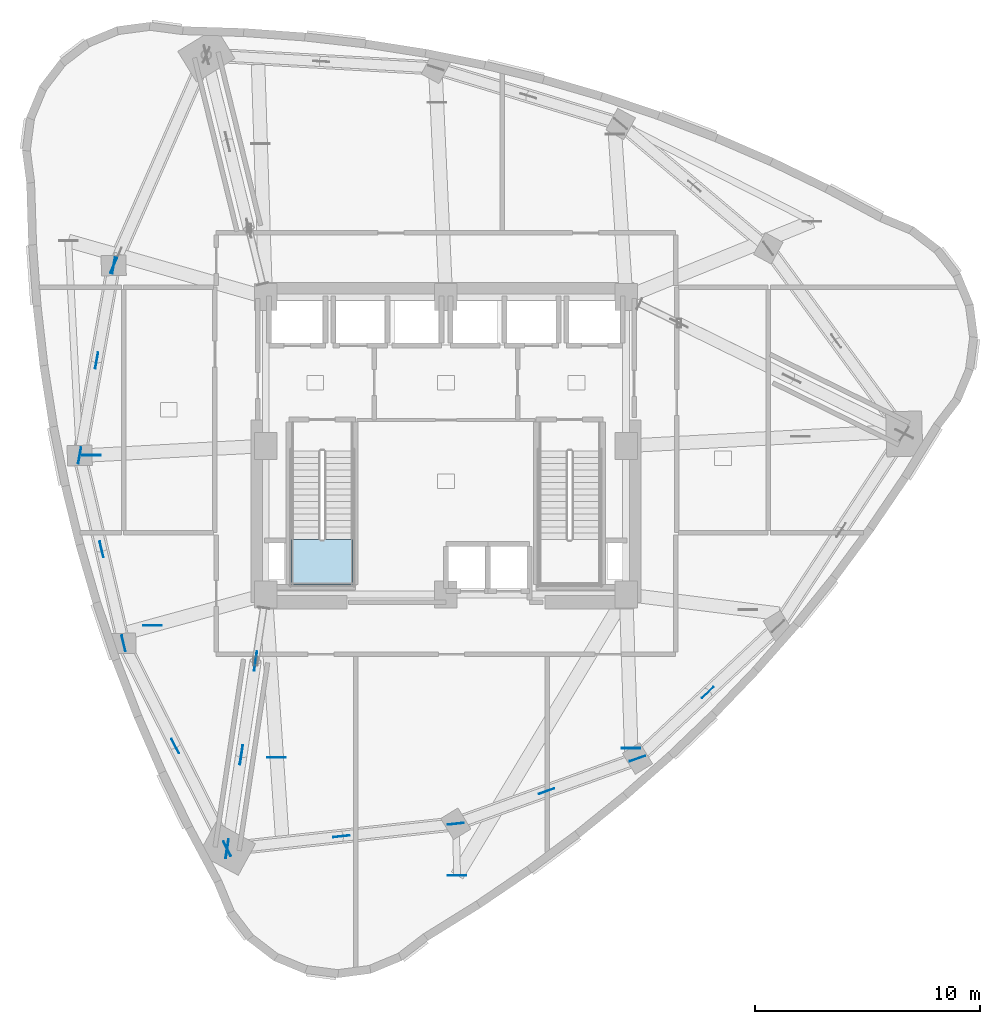
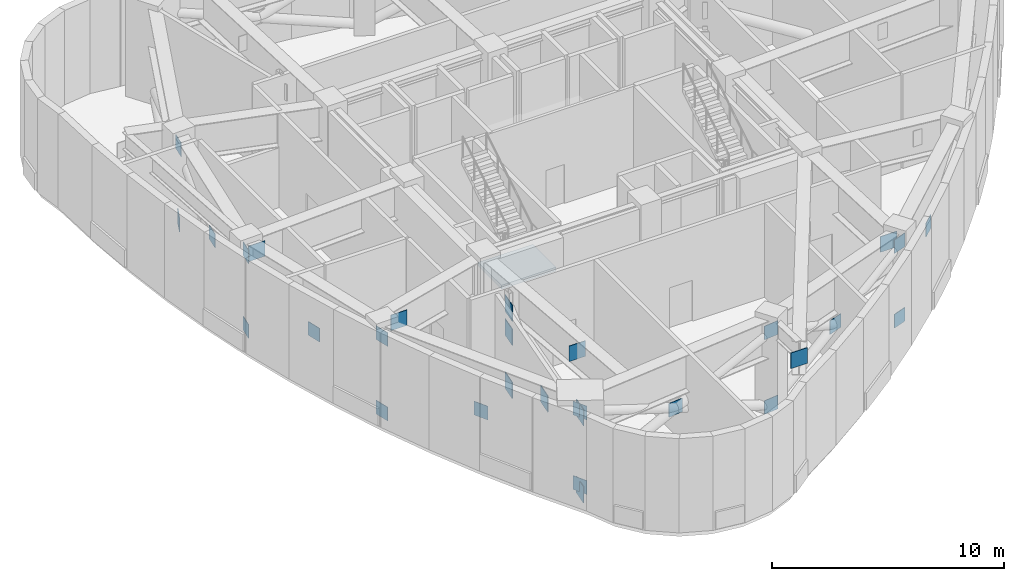
# One storey, part 4 of 12: 29 plates, 1 slab, 1 element without a shape of its own.
"""IFC4 building model written with IfcOpenShell, lengths in metres."""

from ifc_helpers import new_model, si_unit, direction, frame, origin, origin_2d, place, context, subcontext, project, spatial, polyline, rectangle, outline, extrude, material, layer, layer_set, type_object, element, aggregate, save


model = new_model("IFC4")

# Units and contexts
model_context = context("Model", 3, precision=1e-05, world=origin(), true_north=direction((0.0, 1.0)))
body_context = subcontext(model_context, "Body", "Model", "MODEL_VIEW")
ifc_project = project(units=[si_unit("LENGTHUNIT", "METRE"), si_unit("AREAUNIT", "SQUARE_METRE"), si_unit("VOLUMEUNIT", "CUBIC_METRE"), si_unit("PLANEANGLEUNIT", "RADIAN"), si_unit("MASSUNIT", "GRAM", prefix="KILO")], contexts=[model_context])

# Site, building, storey
site_placement = place(None, origin())
site = spatial("IfcSite", under=ifc_project, at=site_placement, CompositionType="ELEMENT")
building_placement = place(site_placement, origin())
building = spatial("IfcBuilding", under=site, at=building_placement, Name="Ndelora Gate Hotel", CompositionType="ELEMENT")
storey_placement = place(building_placement, frame((0.0, 0.0, 168.5)))
storey = spatial("IfcBuildingStorey", under=building, at=storey_placement, Name="L42", CompositionType="ELEMENT", Elevation=168.5)

# Plates
ifc_material_1 = material(Name="Steel S460", Category="steel")
ifc_layer_1 = layer(ifc_material_1, 0.028076171875)
ifc_layer_set_1 = layer_set([ifc_layer_1], Name="Steel S460")
plate_type_1 = type_object("IfcPlateType", Name="PL-NODE-BN2", PredefinedType="USERDEFINED", material=ifc_layer_set_1)
for number, where, z_axis, x_axis, name in (
    (1, (-14.74658203125, 8.006591796875, -0.1201171875), (0.0, 0.0, 1.0), (0.402906435714, 0.915241172621, 0.0), "Node gusset cap plate BN2"),
    (2, (-16.25537109375, -0.42578125, 3.7998046875), (0.0, 0.0, 1.0), (0.17605399618, 0.984380510996, 0.0), "Node gusset cap plate BN2"),
    (3, (-16.25537109375, -0.42578125, -0.1201171875), (0.0, 0.0, 1.0), (0.17605399618, 0.984380510996, 0.0), "Node gusset cap plate BN2"),
    (4, (-14.74658203125, 8.006591796875, 3.7998046875), (0.0, 0.0, 1.0), (0.17605399618, 0.984380510996, 0.0), "Node gusset cap plate BN2"),
    (5, (-15.5009765625, 3.79052734375, 1.83984375), (0.0, 0.0, 1.0), (0.17605399618, 0.984380510996, 0.0), "Node gusset cap plate BN2"),
    (6, (-14.307373046875, -8.767578125, 3.7998046875), (0.0, 0.0, 1.0), (-0.227331215647, 0.973817497477, 0.0), "Node gusset cap plate BN2"),
    (7, (-14.307373046875, -8.767578125, -0.1201171875), (0.0, 0.0, 1.0), (-0.227331215647, 0.973817497477, 0.0), "Node gusset cap plate BN2"),
    (8, (-15.28125, -4.5966796875, 1.83984375), (0.0, 0.0, 1.0), (-0.227331215647, 0.973817497477, 0.0), "Node gusset cap plate BN2"),
    (9, (-9.71044921875, -17.884521484375, 3.7998046875), (0.0, 0.0, 1.0), (-0.450254288408, 0.892900372813, 0.0), "Node gusset cap plate BN2"),
    (10, (-9.71044921875, -17.884521484375, -0.1201171875), (0.0, 0.0, 1.0), (-0.450254288408, 0.892900372813, 0.0), "Node gusset cap plate BN2"),
    (11, (-12.0087890625, -13.325927734375, 1.83984375), (0.0, 0.0, 1.0), (-0.450254288408, 0.892900372813, 0.0), "Node gusset cap plate BN2"),
    (12, (0.439208984375, -16.7744140625, 3.7998046875), (0.0, 0.0, 1.0), (0.994075323936, 0.108693377634, 0.0), "Node gusset cap plate BN2"),
    (13, (0.439208984375, -16.7744140625, -0.1201171875), (0.0, 0.0, 1.0), (0.994075323936, 0.108693377634, 0.0), "Node gusset cap plate BN2"),
    (14, (-4.6357421875, -17.32958984375, 1.83984375), (0.0, 0.0, 1.0), (0.994075323936, 0.108693377634, 0.0), "Node gusset cap plate BN2"),
    (15, (8.50439453125, -13.878173828125, 3.7998046875), (0.0, 0.0, 1.0), (0.941176015256, 0.337916718003, 0.0), "Node gusset cap plate BN2"),
    (16, (8.50439453125, -13.878173828125, -0.1201171875), (0.0, 0.0, 1.0), (0.941176015256, 0.337916718003, 0.0), "Node gusset cap plate BN2"),
    (17, (4.4716796875, -15.326171875, 1.83984375), (0.0, 0.0, 1.0), (0.941176015256, 0.337916718003, 0.0), "Node gusset cap plate BN2"),
    (18, (11.62548828125, -10.9423828125, 1.83984375), (0.0, 0.0, 1.0), (0.728370969882, 0.685182990326, 0.0), "Node gusset cap plate BN2"),
):
    element("IfcPlate", number, at=place(storey_placement, frame(where, z_axis=z_axis, x_axis=x_axis)), inside=storey, type_object=plate_type_1, Name=name, ObjectType="GUSSET_PLATE", PredefinedType="USERDEFINED", context=body_context, shape_type="SweptSolid", body=[
        extrude(rectangle(XDim=0.719970703125, YDim=0.028076171875, at=origin_2d()), origin(), (0.0, 0.0, 1.0), 0.719970703125),
    ])
ifc_layer_2 = layer(ifc_material_1, 0.033935546875)
ifc_layer_set_2 = layer_set([ifc_layer_2], Name="Steel S460")
plate_type_2 = type_object("IfcPlateType", Name="PL-NODE-KN2", PredefinedType="USERDEFINED", material=ifc_layer_set_2)
for number, where, z_axis, x_axis, name in (
    (19, (0.499267578125, -19.064208984375, 3.64990234375), (0.0, 0.0, 1.0), (1.0, 0.0, 0.0), "Node gusset cap plate KN2"),
    (20, (-15.72998046875, -0.411865234375, 3.64990234375), (0.0, 0.0, 1.0), (1.0, 0.0, 0.0), "Node gusset cap plate KN2"),
    (21, (-13.011962890625, -7.973876953125, 3.64990234375), (0.0, 0.0, 1.0), (1.0, 0.0, 0.0), "Node gusset cap plate KN2"),
    (22, (-7.50830078125, -13.828369140625, 3.64990234375), (0.0, 0.0, 1.0), (1.0, 0.0, 0.0), "Node gusset cap plate KN2"),
    (23, (8.223876953125, -13.419921875, 3.64990234375), (0.0, 0.0, 1.0), (1.0, 0.0, 0.0), "Node gusset cap plate KN2"),
):
    element("IfcPlate", number, at=place(storey_placement, frame(where, z_axis=z_axis, x_axis=x_axis)), inside=storey, type_object=plate_type_2, Name=name, ObjectType="GUSSET_PLATE", PredefinedType="USERDEFINED", context=body_context, shape_type="SweptSolid", body=[
        extrude(rectangle(XDim=0.820068359375, YDim=0.033935546875, at=origin_2d()), origin(), (0.0, 0.0, 1.0), 0.820068359375),
    ])
ifc_layer_3 = layer(ifc_material_1, 0.035888671875)
ifc_layer_set_3 = layer_set([ifc_layer_3], Name="Steel S460")
plate_type_3 = type_object("IfcPlateType", Name="PL-NODE-ON1", PredefinedType="USERDEFINED", material=ifc_layer_set_3)
for number, where, z_axis, x_axis, name in (
    (24, (-8.447265625, -9.550048828125, 2.3701171875), (0.0, 0.0, 1.0), (0.149880475413, 0.988704123128, 0.0), "Node gusset cap plate ON1"),
    (25, (-8.447265625, -9.550048828125, -0.43017578125), (0.0, 0.0, 1.0), (0.149880475413, 0.988704123128, 0.0), "Node gusset cap plate ON1"),
    (26, (-9.71044921875, -17.884521484375, 3.6298828125), (0.0, 0.0, 1.0), (0.149880475413, 0.988704123128, 0.0), "Node gusset cap plate ON1"),
    (27, (-8.447265625, -9.550048828125, 3.6298828125), (0.0, 0.0, 1.0), (0.149880475413, 0.988704123128, 0.0), "Node gusset cap plate ON1"),
    (28, (-9.71044921875, -17.884521484375, -0.43017578125), (0.0, 0.0, 1.0), (0.149880475413, 0.988704123128, 0.0), "Node gusset cap plate ON1"),
    (29, (-9.078857421875, -13.71728515625, 1.60009765625), (0.0, 0.0, 1.0), (0.149880475413, 0.988704123128, 0.0), "Node gusset cap plate ON1"),
):
    element("IfcPlate", number, at=place(storey_placement, frame(where, z_axis=z_axis, x_axis=x_axis)), inside=storey, type_object=plate_type_3, Name=name, ObjectType="GUSSET_PLATE", PredefinedType="USERDEFINED", context=body_context, shape_type="SweptSolid", body=[
        extrude(rectangle(XDim=0.860107421875, YDim=0.035888671875, at=origin_2d()), origin(), (0.0, 0.0, 1.0), 0.860107421875),
    ])

# Stair, slab
ifc_material_2 = material(Name="Precast concrete C40/50", Category="concrete")
stair_type = type_object("IfcStairType", Name="STR-DOG-CORE", PredefinedType="HALF_TURN_STAIR", material=ifc_material_2)
stair_placement = place(storey_placement, origin())
stair = element("IfcStair", 30, at=stair_placement, inside=storey, type_object=stair_type, Name="L42 Protected Core Exit Stair ST4", PredefinedType="HALF_TURN_STAIR")
ifc_layer_4 = layer(ifc_material_2, 0.219970703125)
ifc_layer_set_4 = layer_set([ifc_layer_4], Name="Precast concrete C40/50")
slab_type = type_object("IfcSlabType", Name="SL-LAND-220", PredefinedType="LANDING", material=ifc_layer_set_4)
slab_placement = place(storey_placement, frame((0.0, 0.0, 2.425048828125)))
slab = element("IfcSlab", 31, at=slab_placement, type_object=slab_type, Name="ST4 landing 1", PredefinedType="LANDING", context=body_context, shape_type="SweptSolid", body=[
    extrude(outline(polyline([(-6.85009765625, -4.14990234375), (-6.85009765625, -6.14990234375), (-4.1298828125, -6.14990234375), (-4.1298828125, -4.14990234375), (-6.85009765625, -4.14990234375)])), origin(), (0.0, 0.0, 1.0), 0.199951171875),
])
aggregate(stair, [slab])

save(model, "model.ifc")
